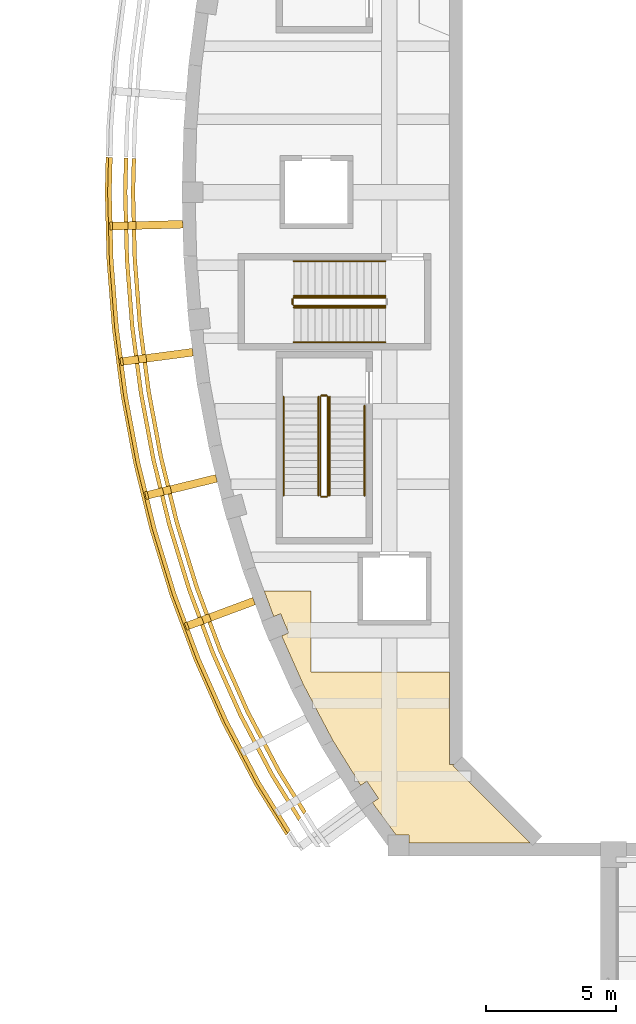
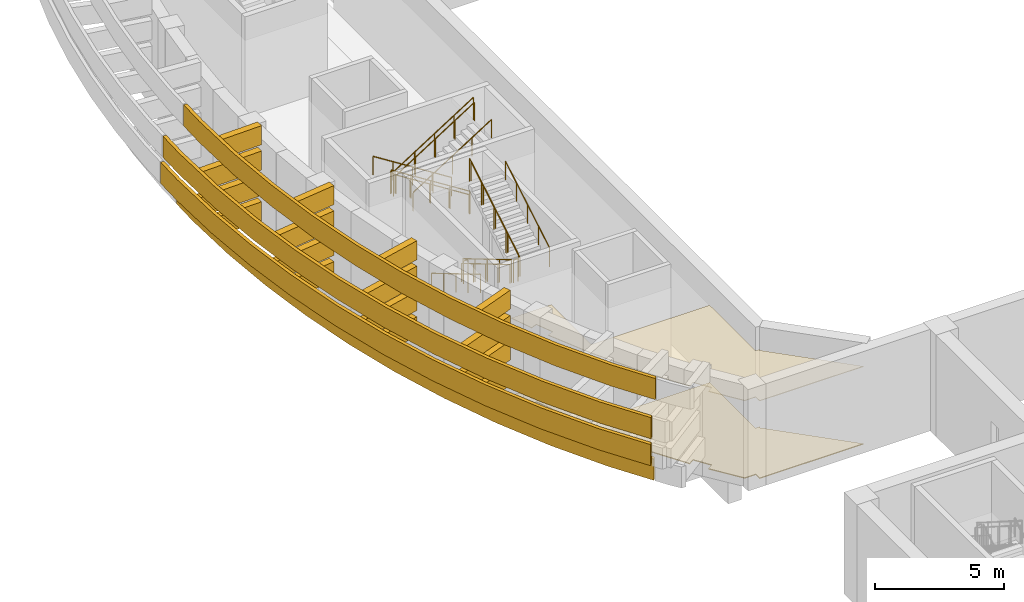
# One storey, part 28 of 37: 22 coverings, 15 railings.
"""IFC4 building model written with IfcOpenShell, lengths in metres."""

from ifc_helpers import new_model, si_unit, direction, frame, origin, origin_2d, place, context, subcontext, project, spatial, polyline, rectangle, circle, outline, extrude, material, layer, layer_set, type_object, element, save


model = new_model("IFC4")

# Units and contexts
model_context = context("Model", 3, precision=1e-05, world=origin(), true_north=direction((0.0, 1.0)))
body_context = subcontext(model_context, "Body", "Model", "MODEL_VIEW")
ifc_project = project(units=[si_unit("LENGTHUNIT", "METRE"), si_unit("AREAUNIT", "SQUARE_METRE"), si_unit("VOLUMEUNIT", "CUBIC_METRE"), si_unit("PLANEANGLEUNIT", "RADIAN"), si_unit("MASSUNIT", "GRAM", prefix="KILO")], contexts=[model_context])

# Site, building, storey
site_placement = place(None, origin())
site = spatial("IfcSite", under=ifc_project, at=site_placement, CompositionType="ELEMENT")
building_placement = place(site_placement, origin())
building = spatial("IfcBuilding", under=site, at=building_placement, Name="Larchfold Concert Hall", CompositionType="ELEMENT")
storey_placement = place(building_placement, frame((0.0, 0.0, 19.199951171875)))
storey = spatial("IfcBuildingStorey", under=building, at=storey_placement, Name="L04", CompositionType="ELEMENT", Elevation=19.199951171875)

# Coverings
ifc_material_1 = material(Name="Plasterboard ceiling lining")
ifc_layer_1 = layer(ifc_material_1, 0.030029296875)
ifc_layer_set_1 = layer_set([ifc_layer_1], Name="Plasterboard ceiling lining")
covering_type_1 = type_object("IfcCoveringType", Name="Ceiling suspended plasterboard 30", PredefinedType="CEILING", material=ifc_layer_set_1)
covering_1_placement = place(storey_placement, frame((0.0, 0.0, 3.670166015625)))
element("IfcCovering", 1, at=covering_1_placement, inside=storey, type_object=covering_type_1, Name="Ceiling Hall Foyer South West", PredefinedType="CEILING", context=body_context, shape_type="SweptSolid", body=[
    extrude(outline(polyline([(28.10009765625, 66.199951171875), (22.800048828125, 66.199951171875), (22.800048828125, 69.300048828125), (21.00634765625, 69.300048828125), (21.367919921875, 68.328369140625), (21.63427734375, 68.43701171875), (21.936279296875, 67.696044921875), (21.670166015625, 67.587646484375), (22.4970703125, 65.731201171875), (23.63134765625, 63.580078125), (24.702880859375, 61.855224609375), (24.93896484375, 62.014404296875), (25.385986328125, 61.35107421875), (25.150390625, 61.1923828125), (26.060302734375, 59.94970703125), (26.552978515625, 59.94970703125), (26.552978515625, 59.64990234375), (31.196533203125, 59.64990234375), (28.24609375, 62.600341796875), (28.29443359375, 62.648681640625), (28.10009765625, 62.648681640625), (28.10009765625, 66.199951171875)])), origin(), (0.0, 0.0, 1.0), 0.030029296875),
])
ifc_material_2 = material(Name="Polished terrazzo")
ifc_layer_2 = layer(ifc_material_2, 0.0400390625)
ifc_layer_set_2 = layer_set([ifc_layer_2], Name="Polished terrazzo")
covering_type_2 = type_object("IfcCoveringType", Name="Floor finish terrazzo 40", PredefinedType="FLOORING", material=ifc_layer_set_2)
covering_2_placement = place(storey_placement, origin())
element("IfcCovering", 2, at=covering_2_placement, inside=storey, type_object=covering_type_2, Name="Floor finish Hall Foyer South West", PredefinedType="FLOORING", context=body_context, shape_type="SweptSolid", body=[
    extrude(outline(polyline([(28.10009765625, 66.199951171875), (22.800048828125, 66.199951171875), (22.800048828125, 69.300048828125), (21.00634765625, 69.300048828125), (21.367919921875, 68.328369140625), (21.63427734375, 68.43701171875), (21.936279296875, 67.696044921875), (21.670166015625, 67.587646484375), (22.4970703125, 65.731201171875), (23.63134765625, 63.580078125), (24.702880859375, 61.855224609375), (24.93896484375, 62.014404296875), (25.385986328125, 61.35107421875), (25.150390625, 61.1923828125), (26.060302734375, 59.94970703125), (26.552978515625, 59.94970703125), (26.552978515625, 59.64990234375), (31.196533203125, 59.64990234375), (28.24609375, 62.600341796875), (28.29443359375, 62.648681640625), (28.10009765625, 62.648681640625), (28.10009765625, 66.199951171875)])), origin(), (0.0, 0.0, 1.0), 0.0400390625),
])
ifc_material_3 = material(Name="Powder-coated orange aluminium", Category="aluminium")
ifc_layer_3 = layer(ifc_material_3, 0.14990234375)
ifc_layer_set_3 = layer_set([ifc_layer_3], Name="Powder-coated orange aluminium")
covering_type_3 = type_object("IfcCoveringType", Name="Orange aluminium ring cladding", PredefinedType="CLADDING", material=ifc_layer_set_3)
covering_3_placement = place(storey_placement, frame((0.0, 0.0, 0.900146484375)))
element("IfcCovering", 3, at=covering_3_placement, inside=storey, type_object=covering_type_3, Name="Ring band R08c", PredefinedType="CLADDING", context=body_context, shape_type="SweptSolid", body=[
    extrude(outline(polyline([(15.74951171875, 84.599853515625), (15.782958984375, 85.90185546875), (15.633056640625, 85.909423828125), (15.599365234375, 84.599853515625), (15.666015625, 82.02197265625), (15.867431640625, 79.44921875), (16.204345703125, 76.889404296875), (16.678955078125, 74.34814453125), (17.293701171875, 71.832763671875), (18.052734375, 69.3515625), (18.960205078125, 66.91357421875), (20.021728515625, 64.529052734375), (21.244140625, 62.211181640625), (22.3115234375, 60.493408203125), (22.4130859375, 60.614013671875), (21.374267578125, 62.285888671875), (20.15673828125, 64.5947265625), (19.099365234375, 66.97021484375), (18.195068359375, 69.399658203125), (17.4384765625, 71.87255859375), (16.82568359375, 74.379638671875), (16.3525390625, 76.912841796875), (16.0166015625, 79.465087890625), (15.81591796875, 82.02978515625), (15.74951171875, 84.599853515625)])), origin(), (0.0, 0.0, 1.0), 1.0),
])
covering_4_placement = place(storey_placement, frame((0.0, 0.0, 2.10009765625)))
element("IfcCovering", 4, at=covering_4_placement, inside=storey, type_object=covering_type_3, Name="Ring band R09c", PredefinedType="CLADDING", context=body_context, shape_type="SweptSolid", body=[
    extrude(outline(polyline([(15.049072265625, 84.599853515625), (15.08349609375, 85.9365234375), (14.933837890625, 85.94384765625), (14.899169921875, 84.599853515625), (14.966796875, 81.985595703125), (15.171142578125, 79.376220703125), (15.512939453125, 76.779296875), (15.994384765625, 74.20068359375), (16.618408203125, 71.647216796875), (17.3896484375, 69.126708984375), (18.31201171875, 66.64892578125), (19.391845703125, 64.22314453125), (20.636474609375, 61.86279296875), (21.837646484375, 59.929443359375), (21.939208984375, 60.05029296875), (20.766845703125, 61.9375), (19.52685546875, 64.288818359375), (18.450927734375, 66.70556640625), (17.53173828125, 69.175048828125), (16.76318359375, 71.68701171875), (16.14111328125, 74.232177734375), (15.6611328125, 76.802978515625), (15.3203125, 79.391845703125), (15.11669921875, 81.993408203125), (15.049072265625, 84.599853515625)])), origin(), (0.0, 0.0, 1.0), 1.0),
])
covering_5_placement = place(storey_placement, frame((0.0, 0.0, 3.300048828125)))
element("IfcCovering", 5, at=covering_5_placement, inside=storey, type_object=covering_type_3, Name="Ring band R10c", PredefinedType="CLADDING", context=body_context, shape_type="SweptSolid", body=[
    extrude(outline(polyline([(15.149169921875, 84.599853515625), (15.18359375, 85.931640625), (15.03369140625, 85.93896484375), (14.999267578125, 84.599853515625), (15.066650390625, 81.99072265625), (15.2705078125, 79.38671875), (15.611572265625, 76.794921875), (16.09228515625, 74.2216796875), (16.71484375, 71.673583984375), (17.484375, 69.158935546875), (18.404541015625, 66.686767578125), (19.481689453125, 64.266845703125), (20.723388671875, 61.91259765625), (21.905517578125, 60.010009765625), (22.007080078125, 60.130859375), (20.853515625, 61.987060546875), (19.61669921875, 64.33251953125), (18.54345703125, 66.743408203125), (17.62646484375, 69.20703125), (16.859619140625, 71.71337890625), (16.239013671875, 74.253173828125), (15.759765625, 76.818603515625), (15.419677734375, 79.40234375), (15.216552734375, 81.99853515625), (15.149169921875, 84.599853515625)])), origin(), (0.0, 0.0, 1.0), 1.0),
])
covering_6_placement = place(storey_placement, frame((0.0, 0.0, 4.5)))
element("IfcCovering", 6, at=covering_6_placement, inside=storey, type_object=covering_type_3, Name="Ring band R11c", PredefinedType="CLADDING", context=body_context, shape_type="SweptSolid", body=[
    extrude(outline(polyline([(16.049560546875, 84.599853515625), (16.082763671875, 85.88720703125), (15.932861328125, 85.89453125), (15.8994140625, 84.599853515625), (15.9658203125, 82.03759765625), (16.166015625, 79.480712890625), (16.500732421875, 76.9365234375), (16.972412109375, 74.4111328125), (17.5830078125, 71.912353515625), (18.337158203125, 69.44775390625), (19.23828125, 67.027099609375), (20.291748046875, 64.66015625), (21.504638671875, 62.3603515625), (22.5146484375, 60.73486328125), (22.6162109375, 60.855712890625), (21.634765625, 62.43505859375), (20.4267578125, 64.725830078125), (19.377197265625, 67.083740234375), (18.479248046875, 69.495849609375), (17.727783203125, 71.9521484375), (17.119140625, 74.44287109375), (16.64892578125, 76.9599609375), (16.315185546875, 79.496337890625), (16.11572265625, 82.04541015625), (16.049560546875, 84.599853515625)])), origin(), (0.0, 0.0, 1.0), 1.0),
])
ifc_material_4 = material(Name="Galvanised steel bracket", Category="steel")
ifc_layer_4 = layer(ifc_material_4, 0.300048828125)
ifc_layer_set_4 = layer_set([ifc_layer_4], Name="Galvanised steel bracket")
covering_type_4 = type_object("IfcCoveringType", Name="Ring support bracket", PredefinedType="CLADDING", material=ifc_layer_set_4)
for number, where, z_axis, x_axis, name in (
    (7, (16.832275390625, 83.34228515625, 0.9501953125), (0.0, 0.0, 1.0), (-0.999665014874, -0.025881615792, 0.0), "Ring bracket BR-R08-20"),
    (8, (17.2255859375, 78.326416015625, 0.9501953125), (0.0, 0.0, 1.0), (-0.991449907596, -0.130487856632, 0.0), "Ring bracket BR-R08-21"),
    (9, (18.15185546875, 73.37646484375, 0.9501953125), (0.0, 0.0, 1.0), (-0.971411707345, -0.237401126438, 0.0), "Ring bracket BR-R08-22"),
    (10, (19.630615234375, 68.552734375, 0.9501953125), (0.0, 0.0, 1.0), (-0.937177411386, -0.348853120364, 0.0), "Ring bracket BR-R08-23"),
):
    element("IfcCovering", number, at=place(storey_placement, frame(where, z_axis=z_axis, x_axis=x_axis)), inside=storey, type_object=covering_type_4, Name=name, PredefinedType="CLADDING", context=body_context, shape_type="SweptSolid", body=[
        extrude(rectangle(XDim=2.10009765625, YDim=0.300048828125, at=origin_2d()), origin(), (0.0, 0.0, 1.0), 0.89990234375),
    ])
for number, where, z_axis, x_axis, name in (
    (11, (16.482421875, 83.333251953125, 2.150146484375), (0.0, 0.0, 1.0), (-0.999665014874, -0.025881615792, 0.0), "Ring bracket BR-R09-20"),
    (12, (16.878662109375, 78.28076171875, 2.150146484375), (0.0, 0.0, 1.0), (-0.991449907596, -0.130487856632, 0.0), "Ring bracket BR-R09-21"),
    (13, (17.811767578125, 73.29345703125, 2.150146484375), (0.0, 0.0, 1.0), (-0.971411707345, -0.237401126438, 0.0), "Ring bracket BR-R09-22"),
    (14, (19.302490234375, 68.4306640625, 2.150146484375), (0.0, 0.0, 1.0), (-0.937177411386, -0.348853120364, 0.0), "Ring bracket BR-R09-23"),
):
    element("IfcCovering", number, at=place(storey_placement, frame(where, z_axis=z_axis, x_axis=x_axis)), inside=storey, type_object=covering_type_4, Name=name, PredefinedType="CLADDING", context=body_context, shape_type="SweptSolid", body=[
        extrude(rectangle(XDim=2.800048828125, YDim=0.300048828125, at=origin_2d()), origin(), (0.0, 0.0, 1.0), 0.89990234375),
    ])
for number, where, z_axis, x_axis, name in (
    (15, (16.532470703125, 83.33447265625, 3.35009765625), (0.0, 0.0, 1.0), (-0.999665014874, -0.025881615792, 0.0), "Ring bracket BR-R10-20"),
    (16, (16.92822265625, 78.287353515625, 3.35009765625), (0.0, 0.0, 1.0), (-0.991449907596, -0.130487856632, 0.0), "Ring bracket BR-R10-21"),
    (17, (17.8603515625, 73.30517578125, 3.35009765625), (0.0, 0.0, 1.0), (-0.971411707345, -0.237401126438, 0.0), "Ring bracket BR-R10-22"),
    (18, (19.349365234375, 68.447998046875, 3.35009765625), (0.0, 0.0, 1.0), (-0.937177411386, -0.348853120364, 0.0), "Ring bracket BR-R10-23"),
):
    element("IfcCovering", number, at=place(storey_placement, frame(where, z_axis=z_axis, x_axis=x_axis)), inside=storey, type_object=covering_type_4, Name=name, PredefinedType="CLADDING", context=body_context, shape_type="SweptSolid", body=[
        extrude(rectangle(XDim=2.699951171875, YDim=0.300048828125, at=origin_2d()), origin(), (0.0, 0.0, 1.0), 0.89990234375),
    ])
for number, where, z_axis, x_axis, name in (
    (19, (16.982177734375, 83.34619140625, 4.550048828125), (0.0, 0.0, 1.0), (-0.999665014874, -0.025881615792, 0.0), "Ring bracket BR-R11-20"),
    (20, (17.374267578125, 78.345947265625, 4.550048828125), (0.0, 0.0, 1.0), (-0.991449907596, -0.130487856632, 0.0), "Ring bracket BR-R11-21"),
    (21, (18.29736328125, 73.412109375, 4.550048828125), (0.0, 0.0, 1.0), (-0.971411707345, -0.237401126438, 0.0), "Ring bracket BR-R11-22"),
    (22, (19.771240234375, 68.60498046875, 4.550048828125), (0.0, 0.0, 1.0), (-0.937177411386, -0.348853120364, 0.0), "Ring bracket BR-R11-23"),
):
    element("IfcCovering", number, at=place(storey_placement, frame(where, z_axis=z_axis, x_axis=x_axis)), inside=storey, type_object=covering_type_4, Name=name, PredefinedType="CLADDING", context=body_context, shape_type="SweptSolid", body=[
        extrude(rectangle(XDim=1.800048828125, YDim=0.300048828125, at=origin_2d()), origin(), (0.0, 0.0, 1.0), 0.89990234375),
    ])

# Railings
ifc_material_5 = material(Name="Stainless steel balustrade", Category="steel")
railing_type_1 = type_object("IfcRailingType", Name="Stair guard 1100", PredefinedType="GUARDRAIL", material=ifc_material_5)
railing_1_placement = place(storey_placement, frame((23.14990234375, 76.75, 0.16015625)))
element("IfcRailing", 23, at=railing_1_placement, inside=storey, type_object=railing_type_1, Name="Guard GR0019", PredefinedType="GUARDRAIL", context=body_context, shape_type="SweptSolid", body=[
    extrude(circle(Radius=0.02392578125, at=origin_2d()), frame((0.0, 0.0, 1.076171875), z_axis=(0.0, -0.860294241299, 0.509797821089), x_axis=(1.0, 0.0, 0.0)), (0.0, 0.0, 1.0), 4.393798828125),
    extrude(circle(Radius=0.02099609375, at=origin_2d()), origin(), (0.0, 0.0, 1.0), 1.052001953125),
    extrude(circle(Radius=0.02099609375, at=origin_2d()), frame((0.0, -0.945068359375, 0.56005859375)), (0.0, 0.0, 1.0), 1.052001953125),
    extrude(circle(Radius=0.02099609375, at=origin_2d()), frame((0.0, -1.89013671875, 1.1201171875)), (0.0, 0.0, 1.0), 1.052001953125),
    extrude(circle(Radius=0.02099609375, at=origin_2d()), frame((0.0, -2.8349609375, 1.679931640625)), (0.0, 0.0, 1.0), 1.052001953125),
    extrude(circle(Radius=0.02099609375, at=origin_2d()), frame((0.0, -3.780029296875, 2.239990234375)), (0.0, 0.0, 1.0), 1.052001953125),
])
railing_2_placement = place(storey_placement, frame((23.199951171875, 72.919921875, 2.400146484375)))
element("IfcRailing", 24, at=railing_2_placement, inside=storey, type_object=railing_type_1, Name="Guard GR0020", PredefinedType="GUARDRAIL", context=body_context, shape_type="SweptSolid", body=[
    extrude(circle(Radius=0.02392578125, at=origin_2d()), frame((0.0, 0.0, 1.076171875), z_axis=(1.0, 0.0, 0.0), x_axis=(0.0, 1.0, 0.0)), (0.0, 0.0, 1.0), 0.199951171875),
    extrude(circle(Radius=0.02099609375, at=origin_2d()), origin(), (0.0, 0.0, 1.0), 1.052001953125),
    extrude(circle(Radius=0.02099609375, at=origin_2d()), frame((0.199951171875, 0.0, 0.0)), (0.0, 0.0, 1.0), 1.052001953125),
])
railing_3_placement = place(storey_placement, frame((23.449951171875, 72.969970703125, 2.56005859375)))
element("IfcRailing", 25, at=railing_3_placement, inside=storey, type_object=railing_type_1, Name="Guard GR0021", PredefinedType="GUARDRAIL", context=body_context, shape_type="SweptSolid", body=[
    extrude(circle(Radius=0.02392578125, at=origin_2d()), frame((0.0, 0.0, 1.076171875), z_axis=(0.0, 0.860294241299, 0.509797821089), x_axis=(-1.0, 0.0, 0.0)), (0.0, 0.0, 1.0), 4.393798828125),
    extrude(circle(Radius=0.02099609375, at=origin_2d()), origin(), (0.0, 0.0, 1.0), 1.052001953125),
    extrude(circle(Radius=0.02099609375, at=origin_2d()), frame((0.0, 0.945068359375, 0.56005859375)), (0.0, 0.0, 1.0), 1.052001953125),
    extrude(circle(Radius=0.02099609375, at=origin_2d()), frame((0.0, 1.89013671875, 1.1201171875)), (0.0, 0.0, 1.0), 1.052001953125),
    extrude(circle(Radius=0.02099609375, at=origin_2d()), frame((0.0, 2.8349609375, 1.679931640625)), (0.0, 0.0, 1.0), 1.052001953125),
    extrude(circle(Radius=0.02099609375, at=origin_2d()), frame((0.0, 3.780029296875, 2.239990234375)), (0.0, 0.0, 1.0), 1.052001953125),
])
railing_4_placement = place(storey_placement, frame((23.199951171875, 76.800048828125, 0.0)))
element("IfcRailing", 26, at=railing_4_placement, inside=storey, type_object=railing_type_1, Name="Guard GR0022", PredefinedType="GUARDRAIL", context=body_context, shape_type="SweptSolid", body=[
    extrude(circle(Radius=0.02392578125, at=origin_2d()), frame((0.0, 0.0, 1.076171875), z_axis=(1.0, 0.0, 0.0), x_axis=(0.0, 1.0, 0.0)), (0.0, 0.0, 1.0), 0.199951171875),
    extrude(circle(Radius=0.02099609375, at=origin_2d()), origin(), (0.0, 0.0, 1.0), 1.052001953125),
    extrude(circle(Radius=0.02099609375, at=origin_2d()), frame((0.199951171875, 0.0, 0.0)), (0.0, 0.0, 1.0), 1.052001953125),
])
railing_5_placement = place(storey_placement, frame((25.64990234375, 80.550048828125, 0.17138671875)))
element("IfcRailing", 27, at=railing_5_placement, inside=storey, type_object=railing_type_1, Name="Guard GR0027", PredefinedType="GUARDRAIL", context=body_context, shape_type="SweptSolid", body=[
    extrude(circle(Radius=0.02392578125, at=origin_2d()), frame((0.0, 0.0, 1.076171875), z_axis=(-0.844192992368, 0.0, 0.536039356425), x_axis=(0.0, -1.0, 0.0)), (0.0, 0.0, 1.0), 4.15771484375),
    extrude(circle(Radius=0.02099609375, at=origin_2d()), origin(), (0.0, 0.0, 1.0), 1.052001953125),
    extrude(circle(Radius=0.02099609375, at=origin_2d()), frame((-0.87744140625, 0.0, 0.55712890625)), (0.0, 0.0, 1.0), 1.052001953125),
    extrude(circle(Radius=0.02099609375, at=origin_2d()), frame((-1.7548828125, 0.0, 1.1142578125)), (0.0, 0.0, 1.0), 1.052001953125),
    extrude(circle(Radius=0.02099609375, at=origin_2d()), frame((-2.632568359375, 0.0, 1.671630859375)), (0.0, 0.0, 1.0), 1.052001953125),
    extrude(circle(Radius=0.02099609375, at=origin_2d()), frame((-3.510009765625, 0.0, 2.228759765625)), (0.0, 0.0, 1.0), 1.052001953125),
])
railing_6_placement = place(storey_placement, frame((22.08984375, 80.5, 2.400146484375)))
element("IfcRailing", 28, at=railing_6_placement, inside=storey, type_object=railing_type_1, Name="Guard GR0028", PredefinedType="GUARDRAIL", context=body_context, shape_type="SweptSolid", body=[
    extrude(circle(Radius=0.02392578125, at=origin_2d()), frame((0.0, 0.0, 1.076171875), z_axis=(0.0, -1.0, 0.0), x_axis=(1.0, 0.0, 0.0)), (0.0, 0.0, 1.0), 0.199951171875),
    extrude(circle(Radius=0.02099609375, at=origin_2d()), origin(), (0.0, 0.0, 1.0), 1.052001953125),
    extrude(circle(Radius=0.02099609375, at=origin_2d()), frame((0.0, -0.199951171875, 0.0)), (0.0, 0.0, 1.0), 1.052001953125),
])
railing_7_placement = place(storey_placement, frame((22.139892578125, 80.25, 2.571533203125)))
element("IfcRailing", 29, at=railing_7_placement, inside=storey, type_object=railing_type_1, Name="Guard GR0029", PredefinedType="GUARDRAIL", context=body_context, shape_type="SweptSolid", body=[
    extrude(circle(Radius=0.02392578125, at=origin_2d()), frame((0.0, 0.0, 1.076171875), z_axis=(0.844219563411, 0.0, 0.53599750816), x_axis=(0.0, 1.0, 0.0)), (0.0, 0.0, 1.0), 4.15771484375),
    extrude(circle(Radius=0.02099609375, at=origin_2d()), origin(), (0.0, 0.0, 1.0), 1.052001953125),
    extrude(circle(Radius=0.02099609375, at=origin_2d()), frame((0.87744140625, 0.0, 0.55712890625)), (0.0, 0.0, 1.0), 1.052001953125),
    extrude(circle(Radius=0.02099609375, at=origin_2d()), frame((1.7548828125, 0.0, 1.1142578125)), (0.0, 0.0, 1.0), 1.052001953125),
    extrude(circle(Radius=0.02099609375, at=origin_2d()), frame((2.632568359375, 0.0, 1.67138671875)), (0.0, 0.0, 1.0), 1.052001953125),
    extrude(circle(Radius=0.02099609375, at=origin_2d()), frame((3.510009765625, 0.0, 2.228515625)), (0.0, 0.0, 1.0), 1.052001953125),
])
ifc_material_6 = material(Name="Stainless steel handrail", Category="steel")
railing_type_2 = type_object("IfcRailingType", Name="Stair handrail 900", PredefinedType="HANDRAIL", material=ifc_material_6)
railing_8_placement = place(storey_placement, frame((21.75, 76.75, 0.16015625)))
element("IfcRailing", 30, at=railing_8_placement, inside=storey, type_object=railing_type_2, Name="Handrail HR0017", PredefinedType="HANDRAIL", context=body_context, shape_type="SweptSolid", body=[
    extrude(circle(Radius=0.02392578125, at=origin_2d()), frame((0.0, 0.0, 0.8759765625), z_axis=(0.0, -0.860294241299, 0.509797821089), x_axis=(1.0, 0.0, 0.0)), (0.0, 0.0, 1.0), 4.393798828125),
    extrude(circle(Radius=0.02099609375, at=origin_2d()), origin(), (0.0, 0.0, 1.0), 0.851806640625),
    extrude(circle(Radius=0.02099609375, at=origin_2d()), frame((0.0, -0.945068359375, 0.56005859375)), (0.0, 0.0, 1.0), 0.851806640625),
    extrude(circle(Radius=0.02099609375, at=origin_2d()), frame((0.0, -1.89013671875, 1.1201171875)), (0.0, 0.0, 1.0), 0.851806640625),
    extrude(circle(Radius=0.02099609375, at=origin_2d()), frame((0.0, -2.8349609375, 1.679931640625)), (0.0, 0.0, 1.0), 0.851806640625),
    extrude(circle(Radius=0.02099609375, at=origin_2d()), frame((0.0, -3.780029296875, 2.239990234375)), (0.0, 0.0, 1.0), 0.851806640625),
])
railing_9_placement = place(storey_placement, frame((24.85009765625, 72.969970703125, 2.56005859375)))
element("IfcRailing", 31, at=railing_9_placement, inside=storey, type_object=railing_type_2, Name="Handrail HR0018", PredefinedType="HANDRAIL", context=body_context, shape_type="SweptSolid", body=[
    extrude(circle(Radius=0.02392578125, at=origin_2d()), frame((0.0, 0.0, 0.8759765625), z_axis=(0.0, 0.860300485727, 0.509787283342), x_axis=(-1.0, 0.0, 0.0)), (0.0, 0.0, 1.0), 3.98681640625),
    extrude(circle(Radius=0.02099609375, at=origin_2d()), origin(), (0.0, 0.0, 1.0), 0.851806640625),
    extrude(circle(Radius=0.02099609375, at=origin_2d()), frame((0.0, 0.857421875, 0.508056640625)), (0.0, 0.0, 1.0), 0.851806640625),
    extrude(circle(Radius=0.02099609375, at=origin_2d()), frame((0.0, 1.71484375, 1.01611328125)), (0.0, 0.0, 1.0), 0.851806640625),
    extrude(circle(Radius=0.02099609375, at=origin_2d()), frame((0.0, 2.572509765625, 1.5244140625)), (0.0, 0.0, 1.0), 0.851806640625),
    extrude(circle(Radius=0.02099609375, at=origin_2d()), frame((0.0, 3.429931640625, 2.032470703125)), (0.0, 0.0, 1.0), 0.851806640625),
])
railing_10_placement = place(storey_placement, frame((23.079833984375, 76.75, 0.16015625)))
element("IfcRailing", 32, at=railing_10_placement, inside=storey, type_object=railing_type_2, Name="Handrail HR0019", PredefinedType="HANDRAIL", context=body_context, shape_type="SweptSolid", body=[
    extrude(circle(Radius=0.02392578125, at=origin_2d()), frame((0.0, 0.0, 0.8759765625), z_axis=(0.0, -0.860294241299, 0.509797821089), x_axis=(1.0, 0.0, 0.0)), (0.0, 0.0, 1.0), 4.393798828125),
    extrude(circle(Radius=0.02099609375, at=origin_2d()), origin(), (0.0, 0.0, 1.0), 0.851806640625),
    extrude(circle(Radius=0.02099609375, at=origin_2d()), frame((0.0, -0.945068359375, 0.56005859375)), (0.0, 0.0, 1.0), 0.851806640625),
    extrude(circle(Radius=0.02099609375, at=origin_2d()), frame((0.0, -1.89013671875, 1.1201171875)), (0.0, 0.0, 1.0), 0.851806640625),
    extrude(circle(Radius=0.02099609375, at=origin_2d()), frame((0.0, -2.8349609375, 1.679931640625)), (0.0, 0.0, 1.0), 0.851806640625),
    extrude(circle(Radius=0.02099609375, at=origin_2d()), frame((0.0, -3.780029296875, 2.239990234375)), (0.0, 0.0, 1.0), 0.851806640625),
])
railing_11_placement = place(storey_placement, frame((23.52001953125, 72.969970703125, 2.56005859375)))
element("IfcRailing", 33, at=railing_11_placement, inside=storey, type_object=railing_type_2, Name="Handrail HR0020", PredefinedType="HANDRAIL", context=body_context, shape_type="SweptSolid", body=[
    extrude(circle(Radius=0.02392578125, at=origin_2d()), frame((0.0, 0.0, 0.8759765625), z_axis=(0.0, 0.860294241299, 0.509797821089), x_axis=(-1.0, 0.0, 0.0)), (0.0, 0.0, 1.0), 4.393798828125),
    extrude(circle(Radius=0.02099609375, at=origin_2d()), origin(), (0.0, 0.0, 1.0), 0.851806640625),
    extrude(circle(Radius=0.02099609375, at=origin_2d()), frame((0.0, 0.945068359375, 0.56005859375)), (0.0, 0.0, 1.0), 0.851806640625),
    extrude(circle(Radius=0.02099609375, at=origin_2d()), frame((0.0, 1.89013671875, 1.1201171875)), (0.0, 0.0, 1.0), 0.851806640625),
    extrude(circle(Radius=0.02099609375, at=origin_2d()), frame((0.0, 2.8349609375, 1.679931640625)), (0.0, 0.0, 1.0), 0.851806640625),
    extrude(circle(Radius=0.02099609375, at=origin_2d()), frame((0.0, 3.780029296875, 2.239990234375)), (0.0, 0.0, 1.0), 0.851806640625),
])
railing_12_placement = place(storey_placement, frame((25.64990234375, 81.949951171875, 0.17138671875)))
element("IfcRailing", 34, at=railing_12_placement, inside=storey, type_object=railing_type_2, Name="Handrail HR0025", PredefinedType="HANDRAIL", context=body_context, shape_type="SweptSolid", body=[
    extrude(circle(Radius=0.02392578125, at=origin_2d()), frame((0.0, 0.0, 0.8759765625), z_axis=(-0.844192992368, 0.0, 0.536039356425), x_axis=(0.0, -1.0, 0.0)), (0.0, 0.0, 1.0), 4.15771484375),
    extrude(circle(Radius=0.02099609375, at=origin_2d()), origin(), (0.0, 0.0, 1.0), 0.851806640625),
    extrude(circle(Radius=0.02099609375, at=origin_2d()), frame((-0.87744140625, 0.0, 0.55712890625)), (0.0, 0.0, 1.0), 0.851806640625),
    extrude(circle(Radius=0.02099609375, at=origin_2d()), frame((-1.7548828125, 0.0, 1.1142578125)), (0.0, 0.0, 1.0), 0.851806640625),
    extrude(circle(Radius=0.02099609375, at=origin_2d()), frame((-2.632568359375, 0.0, 1.671630859375)), (0.0, 0.0, 1.0), 0.851806640625),
    extrude(circle(Radius=0.02099609375, at=origin_2d()), frame((-3.510009765625, 0.0, 2.228759765625)), (0.0, 0.0, 1.0), 0.851806640625),
])
railing_13_placement = place(storey_placement, frame((22.139892578125, 78.85009765625, 2.571533203125)))
element("IfcRailing", 35, at=railing_13_placement, inside=storey, type_object=railing_type_2, Name="Handrail HR0026", PredefinedType="HANDRAIL", context=body_context, shape_type="SweptSolid", body=[
    extrude(circle(Radius=0.02392578125, at=origin_2d()), frame((0.0, 0.0, 0.8759765625), z_axis=(0.844219563411, 0.0, 0.53599750816), x_axis=(0.0, 1.0, 0.0)), (0.0, 0.0, 1.0), 4.15771484375),
    extrude(circle(Radius=0.02099609375, at=origin_2d()), origin(), (0.0, 0.0, 1.0), 0.851806640625),
    extrude(circle(Radius=0.02099609375, at=origin_2d()), frame((0.87744140625, 0.0, 0.55712890625)), (0.0, 0.0, 1.0), 0.851806640625),
    extrude(circle(Radius=0.02099609375, at=origin_2d()), frame((1.7548828125, 0.0, 1.1142578125)), (0.0, 0.0, 1.0), 0.851806640625),
    extrude(circle(Radius=0.02099609375, at=origin_2d()), frame((2.632568359375, 0.0, 1.67138671875)), (0.0, 0.0, 1.0), 0.851806640625),
    extrude(circle(Radius=0.02099609375, at=origin_2d()), frame((3.510009765625, 0.0, 2.228515625)), (0.0, 0.0, 1.0), 0.851806640625),
])
railing_14_placement = place(storey_placement, frame((25.64990234375, 80.6201171875, 0.17138671875)))
element("IfcRailing", 36, at=railing_14_placement, inside=storey, type_object=railing_type_2, Name="Handrail HR0027", PredefinedType="HANDRAIL", context=body_context, shape_type="SweptSolid", body=[
    extrude(circle(Radius=0.02392578125, at=origin_2d()), frame((0.0, 0.0, 0.8759765625), z_axis=(-0.844192992368, 0.0, 0.536039356425), x_axis=(0.0, -1.0, 0.0)), (0.0, 0.0, 1.0), 4.15771484375),
    extrude(circle(Radius=0.02099609375, at=origin_2d()), origin(), (0.0, 0.0, 1.0), 0.851806640625),
    extrude(circle(Radius=0.02099609375, at=origin_2d()), frame((-0.87744140625, 0.0, 0.55712890625)), (0.0, 0.0, 1.0), 0.851806640625),
    extrude(circle(Radius=0.02099609375, at=origin_2d()), frame((-1.7548828125, 0.0, 1.1142578125)), (0.0, 0.0, 1.0), 0.851806640625),
    extrude(circle(Radius=0.02099609375, at=origin_2d()), frame((-2.632568359375, 0.0, 1.671630859375)), (0.0, 0.0, 1.0), 0.851806640625),
    extrude(circle(Radius=0.02099609375, at=origin_2d()), frame((-3.510009765625, 0.0, 2.228759765625)), (0.0, 0.0, 1.0), 0.851806640625),
])
railing_15_placement = place(storey_placement, frame((22.139892578125, 80.179931640625, 2.571533203125)))
element("IfcRailing", 37, at=railing_15_placement, inside=storey, type_object=railing_type_2, Name="Handrail HR0028", PredefinedType="HANDRAIL", context=body_context, shape_type="SweptSolid", body=[
    extrude(circle(Radius=0.02392578125, at=origin_2d()), frame((0.0, 0.0, 0.8759765625), z_axis=(0.844219563411, 0.0, 0.53599750816), x_axis=(0.0, 1.0, 0.0)), (0.0, 0.0, 1.0), 4.15771484375),
    extrude(circle(Radius=0.02099609375, at=origin_2d()), origin(), (0.0, 0.0, 1.0), 0.851806640625),
    extrude(circle(Radius=0.02099609375, at=origin_2d()), frame((0.87744140625, 0.0, 0.55712890625)), (0.0, 0.0, 1.0), 0.851806640625),
    extrude(circle(Radius=0.02099609375, at=origin_2d()), frame((1.7548828125, 0.0, 1.1142578125)), (0.0, 0.0, 1.0), 0.851806640625),
    extrude(circle(Radius=0.02099609375, at=origin_2d()), frame((2.632568359375, 0.0, 1.67138671875)), (0.0, 0.0, 1.0), 0.851806640625),
    extrude(circle(Radius=0.02099609375, at=origin_2d()), frame((3.510009765625, 0.0, 2.228515625)), (0.0, 0.0, 1.0), 0.851806640625),
])

save(model, "model.ifc")
